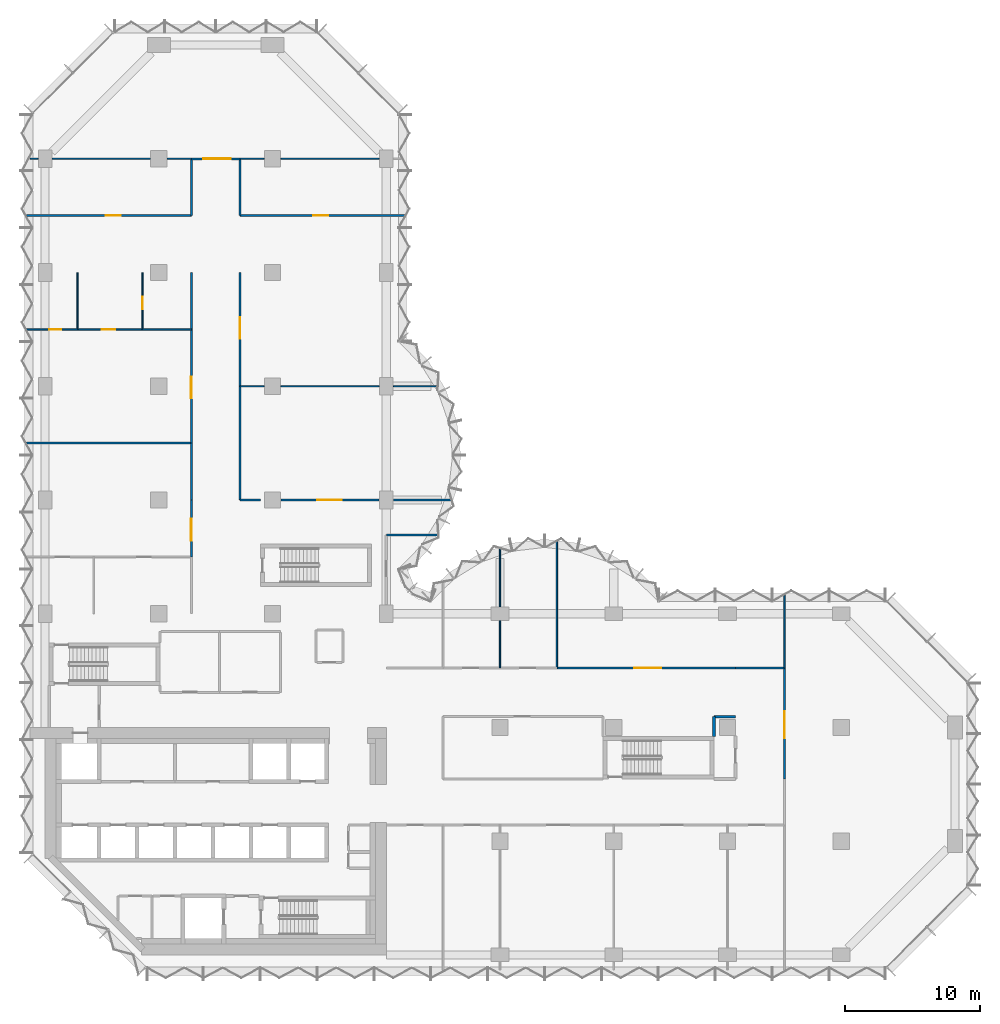
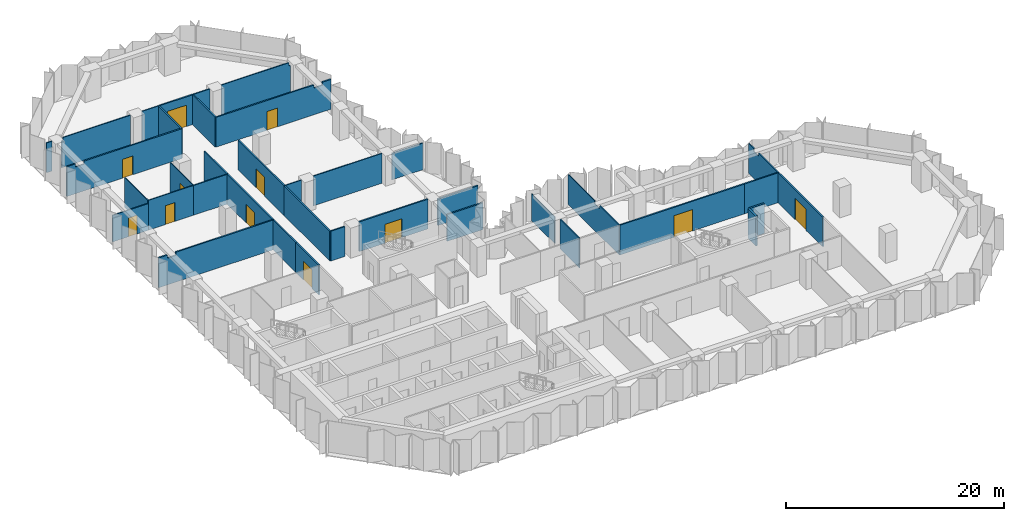
# One storey, part 10 of 13: 38 walls, 12 doors, 12 openings.
"""IFC4 building model written with IfcOpenShell, lengths in metres."""

from ifc_helpers import new_model, si_unit, direction, frame, frame_2d, origin, place, context, subcontext, project, spatial, polyline, rectangle, outline, extrude, material, layer, layer_set, type_object, element, fill, save


model = new_model("IFC4")

# Units and contexts
model_context = context("Model", 3, precision=1e-05, world=origin(), true_north=direction((0.0, 1.0)))
body_context = subcontext(model_context, "Body", "Model", "MODEL_VIEW")
ifc_project = project(units=[si_unit("LENGTHUNIT", "METRE"), si_unit("AREAUNIT", "SQUARE_METRE"), si_unit("VOLUMEUNIT", "CUBIC_METRE"), si_unit("PLANEANGLEUNIT", "RADIAN"), si_unit("MASSUNIT", "GRAM", prefix="KILO")], contexts=[model_context])

# Site, building, storey
site_placement = place(None, origin())
site = spatial("IfcSite", under=ifc_project, at=site_placement, CompositionType="ELEMENT")
building_placement = place(site_placement, origin())
building = spatial("IfcBuilding", under=site, at=building_placement, Name="Brevane Broadcast Tower", CompositionType="ELEMENT")
storey_placement = place(building_placement, frame((0.0, 0.0, 113.300048828125)))
storey = spatial("IfcBuildingStorey", under=building, at=storey_placement, Name="L27", CompositionType="ELEMENT", Elevation=113.300048828125)

# Walls
ifc_material_1 = material(Name="Gypsum board partition")
ifc_layer_1 = layer(ifc_material_1, 0.10009765625)
ifc_layer_set_1 = layer_set([ifc_layer_1], Name="PARTITION 100 STUD")
wall_type_1 = type_object("IfcWallType", Name="PARTITION 100 STUD", PredefinedType="PARTITIONING", material=ifc_layer_set_1)
wall_1_placement = place(storey_placement, frame((54.60009765625, 21.199951171875, 0.0), z_axis=(0.0, 0.0, 1.0), x_axis=(0.0, 1.0, 0.0)))
element("IfcWall", 1, at=wall_1_placement, inside=storey, type_object=wall_type_1, Name="Partition G08-016", PredefinedType="PARTITIONING", context=body_context, shape_type="SweptSolid", body=[
    extrude(outline(polyline([(0.0, 0.0), (5.364990234375, 0.0), (5.364990234375, 3.329833984375), (5.10009765625, 3.329833984375), (4.449951171875, 3.329833984375), (4.447998046875, 2.97998046875), (3.552001953125, 2.97998046875), (3.550048828125, 3.329833984375), (0.0, 3.329833984375), (0.0, 0.0)])), frame((0.0, 0.050048828125, 0.0), z_axis=(0.0, -1.0, 0.0), x_axis=(1.0, 0.0, 0.0)), (0.0, 0.0, 1.0), 0.10009765625),
])
wall_2_placement = place(storey_placement, frame((33.60009765625, 29.98828125, 0.0), z_axis=(0.0, 0.0, 1.0), x_axis=(0.0, -1.0, 0.0)))
element("IfcWall", 2, at=wall_2_placement, inside=storey, type_object=wall_type_1, Name="Partition G08-036", PredefinedType="PARTITIONING", context=body_context, shape_type="SweptSolid", body=[
    extrude(rectangle(XDim=4.268310546875, YDim=0.10009765625, at=frame_2d((2.13427734375, 0.0))), origin(), (0.0, 0.0, 1.0), 2.97998046875),
])
wall_3_placement = place(storey_placement, frame((33.60009765625, 24.679931640625, 0.0), z_axis=(0.0, 0.0, 1.0), x_axis=(0.0, -1.0, 0.0)))
element("IfcWall", 3, at=wall_3_placement, inside=storey, type_object=wall_type_1, Name="Partition G08-037", PredefinedType="PARTITIONING", context=body_context, shape_type="SweptSolid", body=[
    extrude(rectangle(XDim=3.47998046875, YDim=0.10009765625, at=frame_2d((1.739990234375, 0.0))), origin(), (0.0, 0.0, 1.0), 3.329833984375),
])
wall_4_placement = place(storey_placement, frame((37.800048828125, 30.52587890625, 0.0), z_axis=(0.0, 0.0, 1.0), x_axis=(0.0, -1.0, 0.0)))
element("IfcWall", 4, at=wall_4_placement, inside=storey, type_object=wall_type_1, Name="Partition G08-038", PredefinedType="PARTITIONING", context=body_context, shape_type="SweptSolid", body=[
    extrude(outline(polyline([(0.0, 0.0), (9.325927734375, 0.0), (9.325927734375, 3.329833984375), (5.77587890625, 3.329833984375), (5.77392578125, 2.97998046875), (4.8779296875, 2.97998046875), (4.8759765625, 3.329833984375), (0.283203125, 3.329833984375), (0.0, 3.329833984375), (0.0, 0.0)])), frame((0.0, 0.050048828125, 0.0), z_axis=(0.0, -1.0, 0.0), x_axis=(1.0, 0.0, 0.0)), (0.0, 0.0, 1.0), 0.10009765625),
])
wall_5_placement = place(storey_placement, frame((10.800048828125, 58.800048828125, 0.0), z_axis=(0.0, 0.0, 1.0), x_axis=(-1.0, 0.0, 0.0)))
element("IfcWall", 5, at=wall_5_placement, inside=storey, type_object=wall_type_1, Name="Partition G08-052", PredefinedType="PARTITIONING", context=body_context, shape_type="SweptSolid", body=[
    extrude(rectangle(XDim=1.780029296875, YDim=0.10009765625, at=frame_2d((0.89013671875, 0.0))), origin(), (0.0, 0.0, 1.0), 3.329833984375),
])
wall_6_placement = place(storey_placement, frame((7.780029296875, 58.800048828125, 0.0), z_axis=(0.0, 0.0, 1.0), x_axis=(-1.0, 0.0, 0.0)))
element("IfcWall", 6, at=wall_6_placement, inside=storey, type_object=wall_type_1, Name="Partition G08-053", PredefinedType="PARTITIONING", context=body_context, shape_type="SweptSolid", body=[
    extrude(outline(polyline([(0.0, 0.0), (7.260009765625, 0.0), (7.260009765625, 2.97998046875), (7.1162109375, 2.97998046875), (7.1142578125, 3.329833984375), (0.0, 3.329833984375), (0.0, 0.0)])), frame((0.0, 0.050048828125, 0.0), z_axis=(0.0, -1.0, 0.0), x_axis=(1.0, 0.0, 0.0)), (0.0, 0.0, 1.0), 0.10009765625),
])
wall_7_placement = place(storey_placement, frame((-0.52001953125, 58.800048828125, 0.0), z_axis=(0.0, 0.0, 1.0), x_axis=(-1.0, 0.0, 0.0)))
element("IfcWall", 7, at=wall_7_placement, inside=storey, type_object=wall_type_1, Name="Partition G08-054", PredefinedType="PARTITIONING", context=body_context, shape_type="SweptSolid", body=[
    extrude(rectangle(XDim=0.580078125, YDim=0.10009765625, at=frame_2d((0.2900390625, 0.0))), origin(), (0.0, 0.0, 1.0), 3.329833984375),
])
wall_8_placement = place(storey_placement, frame((24.679931640625, 58.800048828125, 0.0), z_axis=(0.0, 0.0, 1.0), x_axis=(-1.0, 0.0, 0.0)))
element("IfcWall", 8, at=wall_8_placement, inside=storey, type_object=wall_type_1, Name="Partition G08-056", PredefinedType="PARTITIONING", context=body_context, shape_type="SweptSolid", body=[
    extrude(outline(polyline([(0.0, 0.0), (7.260009765625, 0.0), (7.260009765625, 3.329833984375), (0.145751953125, 3.329833984375), (0.143798828125, 2.97998046875), (0.0, 2.97998046875), (0.0, 0.0)])), frame((0.0, 0.050048828125, 0.0), z_axis=(0.0, -1.0, 0.0), x_axis=(1.0, 0.0, 0.0)), (0.0, 0.0, 1.0), 0.10009765625),
])
wall_9_placement = place(storey_placement, frame((16.179931640625, 58.800048828125, 0.0), z_axis=(0.0, 0.0, 1.0), x_axis=(-1.0, 0.0, 0.0)))
element("IfcWall", 9, at=wall_9_placement, inside=storey, type_object=wall_type_1, Name="Partition G08-057", PredefinedType="PARTITIONING", context=body_context, shape_type="SweptSolid", body=[
    extrude(rectangle(XDim=1.780029296875, YDim=0.10009765625, at=frame_2d((0.89013671875, 0.0))), origin(), (0.0, 0.0, 1.0), 3.329833984375),
])

# Wall, opening, door
wall_10_placement = place(storey_placement, frame((-1.364990234375, 46.199951171875, 0.0), z_axis=(0.0, 0.0, 1.0), x_axis=(1.0, 0.0, 0.0)))
wall_10 = element("IfcWall", 10, at=wall_10_placement, inside=storey, type_object=wall_type_1, Name="Partition G08-063", PredefinedType="PARTITIONING", context=body_context, shape_type="SweptSolid", body=[
    extrude(rectangle(XDim=3.764892578125, YDim=0.10009765625, at=frame_2d((1.88232421875, 0.0))), origin(), (0.0, 0.0, 1.0), 2.97998046875),
])
opening_1_placement = place(wall_10_placement, frame((1.6650390625, 0.0, 0.0)))
opening_1 = element("IfcOpeningElement", 11, at=opening_1_placement, cuts=wall_10, Name="Opening D15-018", PredefinedType="OPENING", context=body_context, shape_type="SweptSolid", body=[
    extrude(rectangle(XDim=0.89990234375, YDim=2.10009765625, at=frame_2d((0.449951171875, 1.050048828125))), frame((0.0, 0.06005859375, 0.0), z_axis=(0.0, -1.0, 0.0), x_axis=(1.0, 0.0, 0.0)), (0.0, 0.0, 1.0), 0.1201171875),
])
ifc_material_2 = material(Name="Timber door leaf", Category="wood")
door_type_1 = type_object("IfcDoorType", Name="DOOR SINGLE 900 INTERNAL", OperationType="SINGLE_SWING_LEFT", PredefinedType="DOOR", material=ifc_material_2)
door_1_placement = place(opening_1_placement, origin())
door_1 = element("IfcDoor", 12, at=door_1_placement, inside=storey, type_object=door_type_1, Name="Door D15-018", OperationType="SINGLE_SWING_LEFT", OverallHeight=2.10009765625, OverallWidth=0.89990234375, PredefinedType="DOOR", context=body_context, shape_type="SweptSolid", body=[
    extrude(rectangle(XDim=0.89990234375, YDim=2.10009765625, at=frame_2d((0.449951171875, 1.050048828125))), frame((0.0, 0.02490234375, 0.0), z_axis=(0.0, -1.0, 0.0), x_axis=(1.0, 0.0, 0.0)), (0.0, 0.0, 1.0), 0.050048828125),
])
fill(opening_1, door_1)

wall_11_placement = place(storey_placement, frame((2.39990234375, 46.199951171875, 0.0), z_axis=(0.0, 0.0, 1.0), x_axis=(1.0, 0.0, 0.0)))
wall_11 = element("IfcWall", 13, at=wall_11_placement, inside=storey, type_object=wall_type_1, Name="Partition G08-064", PredefinedType="PARTITIONING", context=body_context, shape_type="SweptSolid", body=[
    extrude(rectangle(XDim=4.800048828125, YDim=0.10009765625, at=frame_2d((2.39990234375, 0.0))), origin(), (0.0, 0.0, 1.0), 3.329833984375),
])
opening_2_placement = place(wall_11_placement, frame((1.800048828125, 0.0, 0.0)))
opening_2 = element("IfcOpeningElement", 14, at=opening_2_placement, cuts=wall_11, Name="Opening D15-019", PredefinedType="OPENING", context=body_context, shape_type="SweptSolid", body=[
    extrude(rectangle(XDim=1.0, YDim=2.10009765625, at=frame_2d((0.5, 1.050048828125))), frame((0.0, 0.06005859375, 0.0), z_axis=(0.0, -1.0, 0.0), x_axis=(1.0, 0.0, 0.0)), (0.0, 0.0, 1.0), 0.1201171875),
])
door_type_2 = type_object("IfcDoorType", Name="DOOR SINGLE 1000 INTERNAL", OperationType="SINGLE_SWING_LEFT", PredefinedType="DOOR", material=ifc_material_2)
door_2_placement = place(opening_2_placement, origin())
door_2 = element("IfcDoor", 15, at=door_2_placement, inside=storey, type_object=door_type_2, Name="Door D15-019", OperationType="SINGLE_SWING_LEFT", OverallHeight=2.10009765625, OverallWidth=1.0, PredefinedType="DOOR", context=body_context, shape_type="SweptSolid", body=[
    extrude(rectangle(XDim=1.0, YDim=2.10009765625, at=frame_2d((0.5, 1.050048828125))), frame((0.0, 0.02490234375, 0.0), z_axis=(0.0, -1.0, 0.0), x_axis=(1.0, 0.0, 0.0)), (0.0, 0.0, 1.0), 0.050048828125),
])
fill(opening_2, door_2)

# Walls
wall_12_placement = place(storey_placement, frame((7.199951171875, 46.199951171875, 0.0), z_axis=(0.0, 0.0, 1.0), x_axis=(1.0, 0.0, 0.0)))
element("IfcWall", 16, at=wall_12_placement, inside=storey, type_object=wall_type_1, Name="Partition G08-065", PredefinedType="PARTITIONING", context=body_context, shape_type="SweptSolid", body=[
    extrude(rectangle(XDim=3.60009765625, YDim=0.10009765625, at=frame_2d((1.800048828125, 0.0))), origin(), (0.0, 0.0, 1.0), 3.329833984375),
])
wall_13_placement = place(storey_placement, frame((2.39990234375, 50.39990234375, 0.0), z_axis=(0.0, 0.0, 1.0), x_axis=(0.0, -1.0, 0.0)))
element("IfcWall", 17, at=wall_13_placement, inside=storey, type_object=wall_type_1, Name="Partition G08-066", PredefinedType="PARTITIONING", context=body_context, shape_type="SweptSolid", body=[
    extrude(rectangle(XDim=4.199951171875, YDim=0.10009765625, at=frame_2d((2.10009765625, 0.0))), origin(), (0.0, 0.0, 1.0), 3.329833984375),
])

# Wall, opening, door
wall_14_placement = place(storey_placement, frame((7.199951171875, 50.39990234375, 0.0), z_axis=(0.0, 0.0, 1.0), x_axis=(0.0, -1.0, 0.0)))
wall_14 = element("IfcWall", 18, at=wall_14_placement, inside=storey, type_object=wall_type_1, Name="Partition G08-067", PredefinedType="PARTITIONING", context=body_context, shape_type="SweptSolid", body=[
    extrude(rectangle(XDim=4.199951171875, YDim=0.10009765625, at=frame_2d((2.10009765625, 0.0))), origin(), (0.0, 0.0, 1.0), 3.329833984375),
])
opening_3_placement = place(wall_14_placement, frame((1.800048828125, 0.0, 0.0)))
opening_3 = element("IfcOpeningElement", 19, at=opening_3_placement, cuts=wall_14, Name="Opening D15-020", PredefinedType="OPENING", context=body_context, shape_type="SweptSolid", body=[
    extrude(rectangle(XDim=0.89990234375, YDim=2.10009765625, at=frame_2d((0.449951171875, 1.050048828125))), frame((0.0, 0.06005859375, 0.0), z_axis=(0.0, -1.0, 0.0), x_axis=(1.0, 0.0, 0.0)), (0.0, 0.0, 1.0), 0.1201171875),
])
door_3_placement = place(opening_3_placement, origin())
door_3 = element("IfcDoor", 20, at=door_3_placement, inside=storey, type_object=door_type_1, Name="Door D15-020", OperationType="SINGLE_SWING_LEFT", OverallHeight=2.10009765625, OverallWidth=0.89990234375, PredefinedType="DOOR", context=body_context, shape_type="SweptSolid", body=[
    extrude(rectangle(XDim=0.89990234375, YDim=2.10009765625, at=frame_2d((0.449951171875, 1.050048828125))), frame((0.0, 0.02490234375, 0.0), z_axis=(0.0, -1.0, 0.0), x_axis=(1.0, 0.0, 0.0)), (0.0, 0.0, 1.0), 0.050048828125),
])
fill(opening_3, door_3)

# Walls
wall_15_placement = place(storey_placement, frame((14.39990234375, 42.0, 0.0), z_axis=(0.0, 0.0, 1.0), x_axis=(1.0, 0.0, 0.0)))
element("IfcWall", 21, at=wall_15_placement, inside=storey, type_object=wall_type_1, Name="Partition G08-069", PredefinedType="PARTITIONING", context=body_context, shape_type="SweptSolid", body=[
    extrude(rectangle(XDim=1.780029296875, YDim=0.10009765625, at=frame_2d((0.89013671875, 0.0))), origin(), (0.0, 0.0, 1.0), 3.329833984375),
])
wall_16_placement = place(storey_placement, frame((17.419921875, 42.0, 0.0), z_axis=(0.0, 0.0, 1.0), x_axis=(1.0, 0.0, 0.0)))
element("IfcWall", 22, at=wall_16_placement, inside=storey, type_object=wall_type_1, Name="Partition G08-070", PredefinedType="PARTITIONING", context=body_context, shape_type="SweptSolid", body=[
    extrude(rectangle(XDim=7.260009765625, YDim=0.10009765625, at=frame_2d((3.6298828125, 0.0))), origin(), (0.0, 0.0, 1.0), 3.329833984375),
])
wall_17_placement = place(storey_placement, frame((25.719970703125, 42.0, 0.0), z_axis=(0.0, 0.0, 1.0), x_axis=(1.0, 0.0, 0.0)))
element("IfcWall", 23, at=wall_17_placement, inside=storey, type_object=wall_type_1, Name="Partition G08-071", PredefinedType="PARTITIONING", context=body_context, shape_type="SweptSolid", body=[
    extrude(rectangle(XDim=3.29150390625, YDim=0.10009765625, at=frame_2d((1.645751953125, 0.0))), origin(), (0.0, 0.0, 1.0), 2.97998046875),
])
ifc_layer_2 = layer(ifc_material_1, 0.14990234375)
ifc_layer_set_2 = layer_set([ifc_layer_2], Name="PARTITION 150 EI 60")
wall_type_2 = type_object("IfcWallType", Name="PARTITION 150 EI 60", PredefinedType="PARTITIONING", material=ifc_layer_set_2)
wall_18_placement = place(storey_placement, frame((25.199951171875, 31.0, 0.0), z_axis=(0.0, 0.0, 1.0), x_axis=(1.0, 0.0, 0.0)))
element("IfcWall", 24, at=wall_18_placement, inside=storey, type_object=wall_type_2, Name="Partition G08-006", PredefinedType="PARTITIONING", context=body_context, shape_type="SweptSolid", body=[
    extrude(rectangle(XDim=3.80615234375, YDim=0.14990234375, at=frame_2d((1.903076171875, 0.0))), origin(), (0.0, 0.0, 1.0), 2.97998046875),
])

# Wall, opening, door
wall_19_placement = place(storey_placement, frame((54.60009765625, 21.199951171875, 0.0), z_axis=(0.0, 0.0, 1.0), x_axis=(0.0, -1.0, 0.0)))
wall_19 = element("IfcWall", 25, at=wall_19_placement, inside=storey, type_object=wall_type_2, Name="Partition G08-014", PredefinedType="PARTITIONING", context=body_context, shape_type="SweptSolid", body=[
    extrude(rectangle(XDim=8.199951171875, YDim=0.14990234375, at=frame_2d((4.10009765625, 0.0))), origin(), (0.0, 0.0, 1.0), 3.329833984375),
])
opening_4_placement = place(wall_19_placement, frame((3.199951171875, 0.0, 0.0)))
opening_4 = element("IfcOpeningElement", 26, at=opening_4_placement, cuts=wall_19, Name="Opening D15-002", PredefinedType="OPENING", context=body_context, shape_type="SweptSolid", body=[
    extrude(rectangle(XDim=2.0, YDim=2.39990234375, at=frame_2d((1.0, 1.199951171875))), frame((0.0, 0.0849609375, 0.0), z_axis=(0.0, -1.0, 0.0), x_axis=(1.0, 0.0, 0.0)), (0.0, 0.0, 1.0), 0.169921875),
])
ifc_material_3 = material(Name="Fire-rated timber door leaf", Category="wood")
door_type_3 = type_object("IfcDoorType", Name="DOOR DOUBLE 2000 FD30S", OperationType="DOUBLE_DOOR_SINGLE_SWING", PredefinedType="DOOR", material=ifc_material_3)
door_4_placement = place(opening_4_placement, origin())
door_4 = element("IfcDoor", 27, at=door_4_placement, inside=storey, type_object=door_type_3, Name="Door D15-002", OperationType="DOUBLE_DOOR_SINGLE_SWING", OverallHeight=2.39990234375, OverallWidth=2.0, PredefinedType="DOOR", context=body_context, shape_type="SweptSolid", body=[
    extrude(rectangle(XDim=2.0, YDim=2.39990234375, at=frame_2d((1.0, 1.199951171875))), frame((0.0, 0.02490234375, 0.0), z_axis=(0.0, -1.0, 0.0), x_axis=(1.0, 0.0, 0.0)), (0.0, 0.0, 1.0), 0.050048828125),
])
fill(opening_4, door_4)

wall_20_placement = place(storey_placement, frame((37.800048828125, 21.199951171875, 0.0), z_axis=(0.0, 0.0, 1.0), x_axis=(1.0, 0.0, 0.0)))
wall_20 = element("IfcWall", 28, at=wall_20_placement, inside=storey, type_object=wall_type_2, Name="Partition G08-023", PredefinedType="PARTITIONING", context=body_context, shape_type="SweptSolid", body=[
    extrude(rectangle(XDim=13.199951171875, YDim=0.14990234375, at=frame_2d((6.60009765625, 0.0))), origin(), (0.0, 0.0, 1.0), 3.329833984375),
])
opening_5_placement = place(wall_20_placement, frame((5.699951171875, 0.0, 0.0)))
opening_5 = element("IfcOpeningElement", 29, at=opening_5_placement, cuts=wall_20, Name="Opening D15-012", PredefinedType="OPENING", context=body_context, shape_type="SweptSolid", body=[
    extrude(rectangle(XDim=2.0, YDim=2.39990234375, at=frame_2d((1.0, 1.199951171875))), frame((0.0, 0.0849609375, 0.0), z_axis=(0.0, -1.0, 0.0), x_axis=(1.0, 0.0, 0.0)), (0.0, 0.0, 1.0), 0.169921875),
])
door_5_placement = place(opening_5_placement, origin())
door_5 = element("IfcDoor", 30, at=door_5_placement, inside=storey, type_object=door_type_3, Name="Door D15-012", OperationType="DOUBLE_DOOR_SINGLE_SWING", OverallHeight=2.39990234375, OverallWidth=2.0, PredefinedType="DOOR", context=body_context, shape_type="SweptSolid", body=[
    extrude(rectangle(XDim=2.0, YDim=2.39990234375, at=frame_2d((1.0, 1.199951171875))), frame((0.0, 0.02490234375, 0.0), z_axis=(0.0, -1.0, 0.0), x_axis=(1.0, 0.0, 0.0)), (0.0, 0.0, 1.0), 0.050048828125),
])
fill(opening_5, door_5)

# Wall
wall_21_placement = place(storey_placement, frame((51.0, 21.199951171875, 0.0), z_axis=(0.0, 0.0, 1.0), x_axis=(1.0, 0.0, 0.0)))
element("IfcWall", 31, at=wall_21_placement, inside=storey, type_object=wall_type_2, Name="Partition G08-025", PredefinedType="PARTITIONING", context=body_context, shape_type="SweptSolid", body=[
    extrude(rectangle(XDim=3.60009765625, YDim=0.14990234375, at=frame_2d((1.800048828125, 0.0))), origin(), (0.0, 0.0, 1.0), 3.329833984375),
])

# Wall, opening, door
wall_22_placement = place(storey_placement, frame((10.800048828125, 29.39990234375, 0.0), z_axis=(0.0, 0.0, 1.0), x_axis=(0.0, 1.0, 0.0)))
wall_22 = element("IfcWall", 32, at=wall_22_placement, inside=storey, type_object=wall_type_2, Name="Partition G08-039", PredefinedType="PARTITIONING", context=body_context, shape_type="SweptSolid", body=[
    extrude(rectangle(XDim=4.2001953125, YDim=0.14990234375, at=frame_2d((2.10009765625, 0.0))), origin(), (0.0, 0.0, 1.0), 3.329833984375),
])
opening_6_placement = place(wall_22_placement, frame((1.199951171875, 0.0, 0.0)))
opening_6 = element("IfcOpeningElement", 33, at=opening_6_placement, cuts=wall_22, Name="Opening D15-014", PredefinedType="OPENING", context=body_context, shape_type="SweptSolid", body=[
    extrude(rectangle(XDim=1.60009765625, YDim=2.10009765625, at=frame_2d((0.800048828125, 1.050048828125))), frame((0.0, 0.0849609375, 0.0), z_axis=(0.0, -1.0, 0.0), x_axis=(1.0, 0.0, 0.0)), (0.0, 0.0, 1.0), 0.169921875),
])
door_type_4 = type_object("IfcDoorType", Name="DOOR DOUBLE 1600 FD30S", OperationType="DOUBLE_DOOR_SINGLE_SWING", PredefinedType="DOOR", material=ifc_material_3)
door_6_placement = place(opening_6_placement, origin())
door_6 = element("IfcDoor", 34, at=door_6_placement, inside=storey, type_object=door_type_4, Name="Door D15-014", OperationType="DOUBLE_DOOR_SINGLE_SWING", OverallHeight=2.10009765625, OverallWidth=1.60009765625, PredefinedType="DOOR", context=body_context, shape_type="SweptSolid", body=[
    extrude(rectangle(XDim=1.60009765625, YDim=2.10009765625, at=frame_2d((0.800048828125, 1.050048828125))), frame((0.0, 0.02490234375, 0.0), z_axis=(0.0, -1.0, 0.0), x_axis=(1.0, 0.0, 0.0)), (0.0, 0.0, 1.0), 0.050048828125),
])
fill(opening_6, door_6)

# Wall
wall_23_placement = place(storey_placement, frame((14.39990234375, 33.60009765625, 0.0), z_axis=(0.0, 0.0, 1.0), x_axis=(1.0, 0.0, 0.0)))
element("IfcWall", 35, at=wall_23_placement, inside=storey, type_object=wall_type_2, Name="Partition G08-041", PredefinedType="PARTITIONING", context=body_context, shape_type="SweptSolid", body=[
    extrude(rectangle(XDim=1.5, YDim=0.14990234375, at=frame_2d((0.75, 0.0))), origin(), (0.0, 0.0, 1.0), 3.329833984375),
])

# Wall, opening, door
wall_24_placement = place(storey_placement, frame((17.419921875, 33.60009765625, 0.0), z_axis=(0.0, 0.0, 1.0), x_axis=(1.0, 0.0, 0.0)))
wall_24 = element("IfcWall", 36, at=wall_24_placement, inside=storey, type_object=wall_type_2, Name="Partition G08-042", PredefinedType="PARTITIONING", context=body_context, shape_type="SweptSolid", body=[
    extrude(rectangle(XDim=7.260009765625, YDim=0.14990234375, at=frame_2d((3.6298828125, 0.0))), origin(), (0.0, 0.0, 1.0), 3.329833984375),
])
opening_7_placement = place(wall_24_placement, frame((2.699951171875, 0.0, 0.0)))
opening_7 = element("IfcOpeningElement", 37, at=opening_7_placement, cuts=wall_24, Name="Opening D15-022", PredefinedType="OPENING", context=body_context, shape_type="SweptSolid", body=[
    extrude(rectangle(XDim=1.800048828125, YDim=2.10009765625, at=frame_2d((0.89990234375, 1.050048828125))), frame((0.0, 0.0849609375, 0.0), z_axis=(0.0, -1.0, 0.0), x_axis=(1.0, 0.0, 0.0)), (0.0, 0.0, 1.0), 0.169921875),
])
door_type_5 = type_object("IfcDoorType", Name="DOOR DOUBLE 1800 FD30S", OperationType="DOUBLE_DOOR_SINGLE_SWING", PredefinedType="DOOR", material=ifc_material_3)
door_7_placement = place(opening_7_placement, origin())
door_7 = element("IfcDoor", 38, at=door_7_placement, inside=storey, type_object=door_type_5, Name="Door D15-022", OperationType="DOUBLE_DOOR_SINGLE_SWING", OverallHeight=2.10009765625, OverallWidth=1.800048828125, PredefinedType="DOOR", context=body_context, shape_type="SweptSolid", body=[
    extrude(rectangle(XDim=1.800048828125, YDim=2.10009765625, at=frame_2d((0.89990234375, 1.050048828125))), frame((0.0, 0.02490234375, 0.0), z_axis=(0.0, -1.0, 0.0), x_axis=(1.0, 0.0, 0.0)), (0.0, 0.0, 1.0), 0.050048828125),
])
fill(opening_7, door_7)

# Wall
wall_25_placement = place(storey_placement, frame((25.719970703125, 33.60009765625, 0.0), z_axis=(0.0, 0.0, 1.0), x_axis=(1.0, 0.0, 0.0)))
element("IfcWall", 39, at=wall_25_placement, inside=storey, type_object=wall_type_2, Name="Partition G08-043", PredefinedType="PARTITIONING", context=body_context, shape_type="SweptSolid", body=[
    extrude(rectangle(XDim=4.268310546875, YDim=0.14990234375, at=frame_2d((2.13427734375, 0.0))), origin(), (0.0, 0.0, 1.0), 2.97998046875),
])

# Wall, opening, door
wall_26_placement = place(storey_placement, frame((10.800048828125, 58.800048828125, 0.0), z_axis=(0.0, 0.0, 1.0), x_axis=(1.0, 0.0, 0.0)))
wall_26 = element("IfcWall", 40, at=wall_26_placement, inside=storey, type_object=wall_type_2, Name="Partition G08-044", PredefinedType="PARTITIONING", context=body_context, shape_type="SweptSolid", body=[
    extrude(rectangle(XDim=3.599853515625, YDim=0.14990234375, at=frame_2d((1.7998046875, 0.0))), origin(), (0.0, 0.0, 1.0), 3.329833984375),
])
opening_8_placement = place(wall_26_placement, frame((0.89990234375, 0.0, 0.0)))
opening_8 = element("IfcOpeningElement", 41, at=opening_8_placement, cuts=wall_26, Name="Opening D15-013", PredefinedType="OPENING", context=body_context, shape_type="SweptSolid", body=[
    extrude(rectangle(XDim=2.0, YDim=2.39990234375, at=frame_2d((1.0, 1.199951171875))), frame((0.0, 0.0849609375, 0.0), z_axis=(0.0, -1.0, 0.0), x_axis=(1.0, 0.0, 0.0)), (0.0, 0.0, 1.0), 0.169921875),
])
door_8_placement = place(opening_8_placement, origin())
door_8 = element("IfcDoor", 42, at=door_8_placement, inside=storey, type_object=door_type_3, Name="Door D15-013", OperationType="DOUBLE_DOOR_SINGLE_SWING", OverallHeight=2.39990234375, OverallWidth=2.0, PredefinedType="DOOR", context=body_context, shape_type="SweptSolid", body=[
    extrude(rectangle(XDim=2.0, YDim=2.39990234375, at=frame_2d((1.0, 1.199951171875))), frame((0.0, 0.02490234375, 0.0), z_axis=(0.0, -1.0, 0.0), x_axis=(1.0, 0.0, 0.0)), (0.0, 0.0, 1.0), 0.050048828125),
])
fill(opening_8, door_8)

# Wall
wall_27_placement = place(storey_placement, frame((10.800048828125, 33.60009765625, 0.0), z_axis=(0.0, 0.0, 1.0), x_axis=(0.0, 1.0, 0.0)))
element("IfcWall", 43, at=wall_27_placement, inside=storey, type_object=wall_type_2, Name="Partition G08-045", PredefinedType="PARTITIONING", context=body_context, shape_type="SweptSolid", body=[
    extrude(rectangle(XDim=4.199951171875, YDim=0.14990234375, at=frame_2d((2.10009765625, 0.0))), origin(), (0.0, 0.0, 1.0), 3.329833984375),
])

# Wall, opening, door
wall_28_placement = place(storey_placement, frame((10.800048828125, 37.800048828125, 0.0), z_axis=(0.0, 0.0, 1.0), x_axis=(0.0, 1.0, 0.0)))
wall_28 = element("IfcWall", 44, at=wall_28_placement, inside=storey, type_object=wall_type_2, Name="Partition G08-046", PredefinedType="PARTITIONING", context=body_context, shape_type="SweptSolid", body=[
    extrude(rectangle(XDim=8.39990234375, YDim=0.14990234375, at=frame_2d((4.199951171875, 0.0))), origin(), (0.0, 0.0, 1.0), 3.329833984375),
])
opening_9_placement = place(wall_28_placement, frame((3.300048828125, 0.0, 0.0)))
opening_9 = element("IfcOpeningElement", 45, at=opening_9_placement, cuts=wall_28, Name="Opening D15-017", PredefinedType="OPENING", context=body_context, shape_type="SweptSolid", body=[
    extrude(rectangle(XDim=1.60009765625, YDim=2.10009765625, at=frame_2d((0.800048828125, 1.050048828125))), frame((0.0, 0.0849609375, 0.0), z_axis=(0.0, -1.0, 0.0), x_axis=(1.0, 0.0, 0.0)), (0.0, 0.0, 1.0), 0.169921875),
])
door_9_placement = place(opening_9_placement, origin())
door_9 = element("IfcDoor", 46, at=door_9_placement, inside=storey, type_object=door_type_4, Name="Door D15-017", OperationType="DOUBLE_DOOR_SINGLE_SWING", OverallHeight=2.10009765625, OverallWidth=1.60009765625, PredefinedType="DOOR", context=body_context, shape_type="SweptSolid", body=[
    extrude(rectangle(XDim=1.60009765625, YDim=2.10009765625, at=frame_2d((0.800048828125, 1.050048828125))), frame((0.0, 0.02490234375, 0.0), z_axis=(0.0, -1.0, 0.0), x_axis=(1.0, 0.0, 0.0)), (0.0, 0.0, 1.0), 0.050048828125),
])
fill(opening_9, door_9)

# Walls
for number, where, z_axis, x_axis, name in (
    (47, (10.800048828125, 46.199951171875, 0.0), (0.0, 0.0, 1.0), (0.0, 1.0, 0.0), "Partition G08-047"),
    (48, (10.800048828125, 54.60009765625, 0.0), (0.0, 0.0, 1.0), (0.0, 1.0, 0.0), "Partition G08-048"),
):
    element("IfcWall", number, at=place(storey_placement, frame(where, z_axis=z_axis, x_axis=x_axis)), inside=storey, type_object=wall_type_2, Name=name, PredefinedType="PARTITIONING", context=body_context, shape_type="SweptSolid", body=[
        extrude(rectangle(XDim=4.199951171875, YDim=0.14990234375, at=frame_2d((2.10009765625, 0.0))), origin(), (0.0, 0.0, 1.0), 3.329833984375),
    ])
wall_29_placement = place(storey_placement, frame((14.39990234375, 42.0, 0.0), z_axis=(0.0, 0.0, 1.0), x_axis=(0.0, -1.0, 0.0)))
element("IfcWall", 49, at=wall_29_placement, inside=storey, type_object=wall_type_2, Name="Partition G08-049", PredefinedType="PARTITIONING", context=body_context, shape_type="SweptSolid", body=[
    extrude(rectangle(XDim=8.39990234375, YDim=0.14990234375, at=frame_2d((4.199951171875, 0.0))), origin(), (0.0, 0.0, 1.0), 3.329833984375),
])

# Wall, opening, door
wall_30_placement = place(storey_placement, frame((14.39990234375, 50.39990234375, 0.0), z_axis=(0.0, 0.0, 1.0), x_axis=(0.0, -1.0, 0.0)))
wall_30 = element("IfcWall", 50, at=wall_30_placement, inside=storey, type_object=wall_type_2, Name="Partition G08-050", PredefinedType="PARTITIONING", context=body_context, shape_type="SweptSolid", body=[
    extrude(rectangle(XDim=8.39990234375, YDim=0.14990234375, at=frame_2d((4.199951171875, 0.0))), origin(), (0.0, 0.0, 1.0), 3.329833984375),
])
opening_10_placement = place(wall_30_placement, frame((3.300048828125, 0.0, 0.0)))
opening_10 = element("IfcOpeningElement", 51, at=opening_10_placement, cuts=wall_30, Name="Opening D15-023", PredefinedType="OPENING", context=body_context, shape_type="SweptSolid", body=[
    extrude(rectangle(XDim=1.60009765625, YDim=2.10009765625, at=frame_2d((0.800048828125, 1.050048828125))), frame((0.0, 0.0849609375, 0.0), z_axis=(0.0, -1.0, 0.0), x_axis=(1.0, 0.0, 0.0)), (0.0, 0.0, 1.0), 0.169921875),
])
door_10_placement = place(opening_10_placement, origin())
door_10 = element("IfcDoor", 52, at=door_10_placement, inside=storey, type_object=door_type_4, Name="Door D15-023", OperationType="DOUBLE_DOOR_SINGLE_SWING", OverallHeight=2.10009765625, OverallWidth=1.60009765625, PredefinedType="DOOR", context=body_context, shape_type="SweptSolid", body=[
    extrude(rectangle(XDim=1.60009765625, YDim=2.10009765625, at=frame_2d((0.800048828125, 1.050048828125))), frame((0.0, 0.02490234375, 0.0), z_axis=(0.0, -1.0, 0.0), x_axis=(1.0, 0.0, 0.0)), (0.0, 0.0, 1.0), 0.050048828125),
])
fill(opening_10, door_10)

# Wall
wall_31_placement = place(storey_placement, frame((14.39990234375, 58.800048828125, 0.0), z_axis=(0.0, 0.0, 1.0), x_axis=(0.0, -1.0, 0.0)))
element("IfcWall", 53, at=wall_31_placement, inside=storey, type_object=wall_type_2, Name="Partition G08-051", PredefinedType="PARTITIONING", context=body_context, shape_type="SweptSolid", body=[
    extrude(rectangle(XDim=4.199951171875, YDim=0.14990234375, at=frame_2d((2.10009765625, 0.0))), origin(), (0.0, 0.0, 1.0), 3.329833984375),
])

# Wall, opening, door
wall_32_placement = place(storey_placement, frame((-1.364990234375, 54.60009765625, 0.0), z_axis=(0.0, 0.0, 1.0), x_axis=(1.0, 0.0, 0.0)))
wall_32 = element("IfcWall", 54, at=wall_32_placement, inside=storey, type_object=wall_type_2, Name="Partition G08-058", PredefinedType="PARTITIONING", context=body_context, shape_type="SweptSolid", body=[
    extrude(outline(polyline([(0.0, 0.0), (12.1650390625, 0.0), (12.1650390625, 3.329833984375), (1.81494140625, 3.329833984375), (1.81298828125, 2.97998046875), (0.9169921875, 2.97998046875), (0.9150390625, 3.329833984375), (0.264892578125, 3.329833984375), (0.0, 3.329833984375), (0.0, 0.0)])), frame((0.0, 0.074951171875, 0.0), z_axis=(0.0, -1.0, 0.0), x_axis=(1.0, 0.0, 0.0)), (0.0, 0.0, 1.0), 0.14990234375),
])
opening_11_placement = place(wall_32_placement, frame((5.864990234375, 0.0, 0.0)))
opening_11 = element("IfcOpeningElement", 55, at=opening_11_placement, cuts=wall_32, Name="Opening D15-021", PredefinedType="OPENING", context=body_context, shape_type="SweptSolid", body=[
    extrude(rectangle(XDim=1.10009765625, YDim=2.10009765625, at=frame_2d((0.550048828125, 1.050048828125))), frame((0.0, 0.0849609375, 0.0), z_axis=(0.0, -1.0, 0.0), x_axis=(1.0, 0.0, 0.0)), (0.0, 0.0, 1.0), 0.169921875),
])
door_type_6 = type_object("IfcDoorType", Name="DOOR SINGLE 1100 FD30S", OperationType="SINGLE_SWING_LEFT", PredefinedType="DOOR", material=ifc_material_3)
door_11_placement = place(opening_11_placement, origin())
door_11 = element("IfcDoor", 56, at=door_11_placement, inside=storey, type_object=door_type_6, Name="Door D15-021", OperationType="SINGLE_SWING_LEFT", OverallHeight=2.10009765625, OverallWidth=1.10009765625, PredefinedType="DOOR", context=body_context, shape_type="SweptSolid", body=[
    extrude(rectangle(XDim=1.10009765625, YDim=2.10009765625, at=frame_2d((0.550048828125, 1.050048828125))), frame((0.0, 0.02490234375, 0.0), z_axis=(0.0, -1.0, 0.0), x_axis=(1.0, 0.0, 0.0)), (0.0, 0.0, 1.0), 0.050048828125),
])
fill(opening_11, door_11)

# Wall
wall_33_placement = place(storey_placement, frame((-1.364990234375, 37.800048828125, 0.0), z_axis=(0.0, 0.0, 1.0), x_axis=(1.0, 0.0, 0.0)))
element("IfcWall", 57, at=wall_33_placement, inside=storey, type_object=wall_type_2, Name="Partition G08-061", PredefinedType="PARTITIONING", context=body_context, shape_type="SweptSolid", body=[
    extrude(outline(polyline([(0.0, 0.0), (12.1650390625, 0.0), (12.1650390625, 3.329833984375), (1.81494140625, 3.329833984375), (1.81298828125, 2.97998046875), (0.9169921875, 2.97998046875), (0.9150390625, 3.329833984375), (0.264892578125, 3.329833984375), (0.0, 3.329833984375), (0.0, 0.0)])), frame((0.0, 0.074951171875, 0.0), z_axis=(0.0, -1.0, 0.0), x_axis=(1.0, 0.0, 0.0)), (0.0, 0.0, 1.0), 0.14990234375),
])

# Wall, opening, door
wall_34_placement = place(storey_placement, frame((14.39990234375, 54.60009765625, 0.0), z_axis=(0.0, 0.0, 1.0), x_axis=(1.0, 0.0, 0.0)))
wall_34 = element("IfcWall", 58, at=wall_34_placement, inside=storey, type_object=wall_type_2, Name="Partition G08-068", PredefinedType="PARTITIONING", context=body_context, shape_type="SweptSolid", body=[
    extrude(outline(polyline([(0.0, 0.0), (12.1650390625, 0.0), (12.1650390625, 3.329833984375), (11.89990234375, 3.329833984375), (11.25, 3.329833984375), (11.248046875, 2.97998046875), (10.35205078125, 2.97998046875), (10.35009765625, 3.329833984375), (0.0, 3.329833984375), (0.0, 0.0)])), frame((0.0, 0.074951171875, 0.0), z_axis=(0.0, -1.0, 0.0), x_axis=(1.0, 0.0, 0.0)), (0.0, 0.0, 1.0), 0.14990234375),
])
opening_12_placement = place(wall_34_placement, frame((5.39990234375, 0.0, 0.0)))
opening_12 = element("IfcOpeningElement", 59, at=opening_12_placement, cuts=wall_34, Name="Opening D15-024", PredefinedType="OPENING", context=body_context, shape_type="SweptSolid", body=[
    extrude(rectangle(XDim=1.10009765625, YDim=2.10009765625, at=frame_2d((0.550048828125, 1.050048828125))), frame((0.0, 0.0849609375, 0.0), z_axis=(0.0, -1.0, 0.0), x_axis=(1.0, 0.0, 0.0)), (0.0, 0.0, 1.0), 0.169921875),
])
door_12_placement = place(opening_12_placement, origin())
door_12 = element("IfcDoor", 60, at=door_12_placement, inside=storey, type_object=door_type_6, Name="Door D15-024", OperationType="SINGLE_SWING_LEFT", OverallHeight=2.10009765625, OverallWidth=1.10009765625, PredefinedType="DOOR", context=body_context, shape_type="SweptSolid", body=[
    extrude(rectangle(XDim=1.10009765625, YDim=2.10009765625, at=frame_2d((0.550048828125, 1.050048828125))), frame((0.0, 0.02490234375, 0.0), z_axis=(0.0, -1.0, 0.0), x_axis=(1.0, 0.0, 0.0)), (0.0, 0.0, 1.0), 0.050048828125),
])
fill(opening_12, door_12)

# Walls
ifc_layer_3 = layer(ifc_material_1, 0.199951171875)
ifc_layer_set_3 = layer_set([ifc_layer_3], Name="PARTITION 200 EI 120")
wall_type_3 = type_object("IfcWallType", Name="PARTITION 200 EI 120", PredefinedType="PARTITIONING", material=ifc_layer_set_3)
wall_35_placement = place(storey_placement, frame((51.0, 17.60009765625, 0.0), z_axis=(0.0, 0.0, 1.0), x_axis=(-1.0, 0.0, 0.0)))
element("IfcWall", 61, at=wall_35_placement, inside=storey, type_object=wall_type_3, Name="Partition G08-019", PredefinedType="PARTITIONING", context=body_context, shape_type="SweptSolid", body=[
    extrude(rectangle(XDim=1.60009765625, YDim=0.199951171875, at=frame_2d((0.800048828125, 0.0))), origin(), (0.0, 0.0, 1.0), 3.329833984375),
])
wall_36_placement = place(storey_placement, frame((49.39990234375, 17.60009765625, 0.0), z_axis=(0.0, 0.0, 1.0), x_axis=(0.0, -1.0, 0.0)))
element("IfcWall", 62, at=wall_36_placement, inside=storey, type_object=wall_type_3, Name="Partition G08-020", PredefinedType="PARTITIONING", context=body_context, shape_type="SweptSolid", body=[
    extrude(rectangle(XDim=1.4501953125, YDim=0.199951171875, at=frame_2d((0.72509765625, 0.0))), origin(), (0.0, 0.0, 1.0), 3.329833984375),
])

save(model, "model.ifc")
